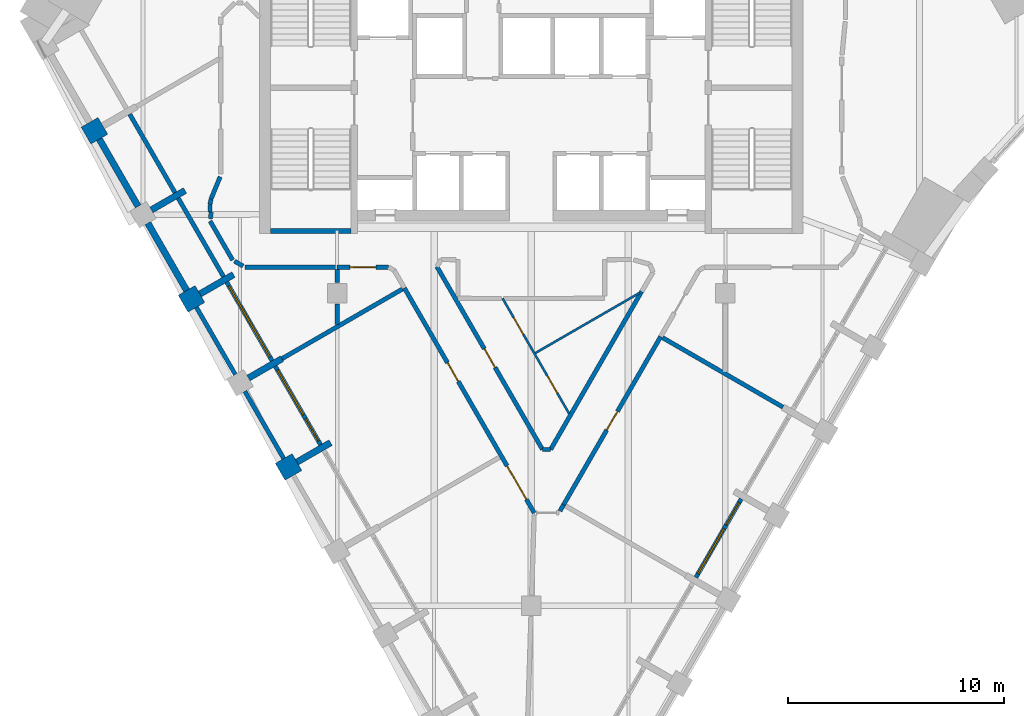
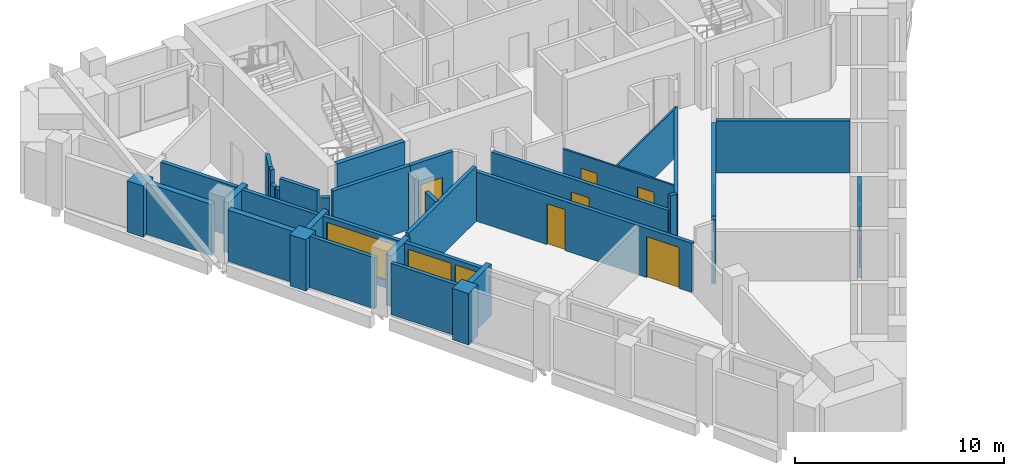
# One storey, part 3 of 8: 37 walls, 9 doors, 3 windows, 12 openings.
"""IFC4 building model written with IfcOpenShell, lengths in metres."""

from ifc_helpers import new_model, si_unit, direction, frame, frame_2d, origin, place, context, subcontext, project, spatial, rectangle, extrude, material, layer, layer_set, type_object, element, fill, save


model = new_model("IFC4")

# Units and contexts
model_context = context("Model", 3, precision=1e-05, world=origin(), true_north=direction((0.0, 1.0)))
body_context = subcontext(model_context, "Body", "Model", "MODEL_VIEW")
ifc_project = project(units=[si_unit("LENGTHUNIT", "METRE"), si_unit("AREAUNIT", "SQUARE_METRE"), si_unit("VOLUMEUNIT", "CUBIC_METRE"), si_unit("PLANEANGLEUNIT", "RADIAN"), si_unit("MASSUNIT", "GRAM", prefix="KILO")], contexts=[model_context])

# Site, building, storey
site_placement = place(None, origin())
site = spatial("IfcSite", under=ifc_project, at=site_placement, CompositionType="ELEMENT")
building_placement = place(site_placement, origin())
building = spatial("IfcBuilding", under=site, at=building_placement, Name="Calabash Gate Tower", CompositionType="ELEMENT")
storey_placement = place(building_placement, frame((0.0, 0.0, 279.39990234375)))
storey = spatial("IfcBuildingStorey", under=building, at=storey_placement, Name="L67", CompositionType="ELEMENT", Elevation=279.39990234375)

# Walls
ifc_material_1 = material(Name="Terracotta brick masonry, exposed face", Category="masonry")
ifc_layer_1 = layer(ifc_material_1, 0.89990234375)
ifc_layer_set_1 = layer_set([ifc_layer_1], Name="Brick end wall 900")
wall_type_1 = type_object("IfcWallType", Name="Brick end wall 900", PredefinedType="SOLIDWALL", material=ifc_layer_set_1)
wall_1_placement = place(storey_placement, frame((-20.643798828125, 9.80029296875, 0.0), z_axis=(0.0, 0.0, 1.0), x_axis=(0.865964261186, 0.500105887137, 0.0)))
element("IfcWall", 1, at=wall_1_placement, inside=storey, type_object=wall_type_1, Name="Brick pier S20 SW0.1", PredefinedType="SOLIDWALL", context=body_context, shape_type="SweptSolid", body=[
    extrude(rectangle(XDim=0.900146484375, YDim=0.89990234375, at=frame_2d((0.4501953125, 0.0))), origin(), (0.0, 0.0, 1.0), 3.0),
])
wall_2_placement = place(storey_placement, frame((-15.97900390625, 2.620849609375, 0.0), z_axis=(0.0, 0.0, 1.0), x_axis=(0.50001992892, -0.866013897511, 0.0)))
element("IfcWall", 2, at=wall_2_placement, inside=storey, type_object=wall_type_1, Name="Brick pier S20 SW0.3", PredefinedType="SOLIDWALL", context=body_context, shape_type="SweptSolid", body=[
    extrude(rectangle(XDim=0.89990234375, YDim=0.89990234375, at=frame_2d((0.449951171875, 0.0))), origin(), (0.0, 0.0, 1.0), 3.0),
])
wall_3_placement = place(storey_placement, frame((-11.47900390625, -5.17333984375, 0.0), z_axis=(0.0, 0.0, 1.0), x_axis=(0.499902469156, -0.866081705922, 0.0)))
element("IfcWall", 3, at=wall_3_placement, inside=storey, type_object=wall_type_1, Name="Brick pier S20 SW0.5", PredefinedType="SOLIDWALL", context=body_context, shape_type="SweptSolid", body=[
    extrude(rectangle(XDim=0.900146484375, YDim=0.89990234375, at=frame_2d((0.4501953125, 0.0))), origin(), (0.0, 0.0, 1.0), 3.0),
])
ifc_material_2 = material(Name="Terracotta brick masonry, exposed face", Category="masonry")
ifc_layer_2 = layer(ifc_material_2, 0.300048828125)
ifc_layer_set_2 = layer_set([ifc_layer_2], Name="Brick infill panel wall 300")
wall_type_2 = type_object("IfcWallType", Name="Brick infill panel wall 300", PredefinedType="SOLIDWALL", material=ifc_layer_set_2)
for number, where, z_axis, x_axis, name in (
    (4, (-20.029052734375, 9.6357421875, 0.0), (0.0, 0.0, 1.0), (0.500012057535, -0.866018442252, 0.0), "Brick panel S20 SW0.2"),
    (5, (-17.779052734375, 5.738525390625, 0.0), (0.0, 0.0, 1.0), (0.500012057535, -0.866018442252, 0.0), "Brick panel S20 SW0.3"),
):
    element("IfcWall", number, at=place(storey_placement, frame(where, z_axis=z_axis, x_axis=x_axis)), inside=storey, type_object=wall_type_2, Name=name, PredefinedType="SOLIDWALL", context=body_context, shape_type="SweptSolid", body=[
        extrude(rectangle(XDim=3.60009765625, YDim=0.300048828125, at=frame_2d((1.800048828125, 0.0))), origin(), (0.0, 0.0, 1.0), 3.0),
    ])
ifc_material_3 = material(Name="Terracotta brick masonry, exposed face", Category="masonry")
ifc_layer_3 = layer(ifc_material_3, 0.300048828125)
ifc_layer_set_3 = layer_set([ifc_layer_3], Name="Brick loggia cheek wall 300")
wall_type_3 = type_object("IfcWallType", Name="Brick loggia cheek wall 300", PredefinedType="SOLIDWALL", material=ifc_layer_set_3)
wall_4_placement = place(storey_placement, frame((-17.6142578125, 6.353271484375, 0.0), z_axis=(0.0, 0.0, 1.0), x_axis=(0.866047807691, 0.499961193289, 0.0)))
element("IfcWall", 6, at=wall_4_placement, inside=storey, type_object=wall_type_3, Name="Loggia cheek S20 SW0.2", PredefinedType="SOLIDWALL", context=body_context, shape_type="SweptSolid", body=[
    extrude(rectangle(XDim=1.800048828125, YDim=0.300048828125, at=frame_2d((0.89990234375, 0.0))), origin(), (0.0, 0.0, 1.0), 2.9501953125),
])
for number, where, z_axis, x_axis, name in (
    (7, (-13.805419921875, 3.356201171875, 0.0), (0.0, 0.0, 1.0), (-0.865989075817, -0.500062916607, 0.0), "Loggia cheek S20 SW0.3"),
    (8, (-11.555419921875, -0.541015625, 0.0), (0.0, 0.0, 1.0), (-0.866047807691, -0.499961193289, 0.0), "Loggia cheek S20 SW0.4"),
    (9, (-9.305419921875, -4.43798828125, 0.0), (0.0, 0.0, 1.0), (-0.865989075817, -0.500062916607, 0.0), "Loggia cheek S20 SW0.5"),
):
    element("IfcWall", number, at=place(storey_placement, frame(where, z_axis=z_axis, x_axis=x_axis)), inside=storey, type_object=wall_type_3, Name=name, PredefinedType="SOLIDWALL", context=body_context, shape_type="SweptSolid", body=[
        extrude(rectangle(XDim=1.800048828125, YDim=0.300048828125, at=frame_2d((0.89990234375, 0.0))), origin(), (0.0, 0.0, 1.0), 3.0),
    ])
ifc_material_4 = material(Name="Concrete C60/75", Category="concrete")
ifc_layer_4 = layer(ifc_material_4, 0.25)
ifc_layer_set_4 = layer_set([ifc_layer_4], Name="Core wall 250 Concrete C60/75")
wall_type_4 = type_object("IfcWallType", Name="Core wall 250 Concrete C60/75", PredefinedType="SHEAR", material=ifc_layer_set_4)
wall_5_placement = place(storey_placement, frame((-12.10009765625, 5.377685546875, 0.0), z_axis=(0.0, 0.0, 1.0), x_axis=(1.0, 0.0, 0.0)))
element("IfcWall", 10, at=wall_5_placement, inside=storey, type_object=wall_type_4, Name="Core wall Z5-SSW L67", PredefinedType="SHEAR", context=body_context, shape_type="SweptSolid", body=[
    extrude(rectangle(XDim=3.75, YDim=0.25, at=frame_2d((1.875, 0.0))), origin(), (0.0, 0.0, 1.0), 3.900146484375),
])

# Wall, openings, doors
ifc_material_5 = material(Name="Gypsum board on steel studs, mineral wool", Category="steel")
ifc_layer_5 = layer(ifc_material_5, 0.10009765625)
ifc_layer_set_5 = layer_set([ifc_layer_5], Name="Partition 100 gypsum board")
wall_type_5 = type_object("IfcWallType", Name="Partition 100 gypsum board", PredefinedType="PARTITIONING", material=ifc_layer_set_5)
wall_6_placement = place(storey_placement, frame((-1.330078125, 2.25244140625, 0.0), z_axis=(0.0, 0.0, 1.0), x_axis=(0.499984964964, -0.866034084092, 0.0)))
wall_6 = element("IfcWall", 11, at=wall_6_placement, inside=storey, type_object=wall_type_5, Name="Partition", PredefinedType="PARTITIONING", context=body_context, shape_type="SweptSolid", body=[
    extrude(rectangle(XDim=6.172119140625, YDim=0.10009765625, at=frame_2d((3.0859375, 0.0))), origin(), (0.0, 0.0, 1.0), 2.88427734375),
])
opening_1_placement = place(wall_6_placement, frame((1.025634765625, 0.0, 0.0)))
opening_1 = element("IfcOpeningElement", 12, at=opening_1_placement, cuts=wall_6, Name="Opening 67-68-013", PredefinedType="OPENING", context=body_context, shape_type="SweptSolid", body=[
    extrude(rectangle(XDim=0.89990234375, YDim=2.10009765625, at=frame_2d((0.449951171875, 1.050048828125))), frame((0.0, 0.06005859375, 0.0), z_axis=(0.0, -1.0, 0.0), x_axis=(1.0, 0.0, 0.0)), (0.0, 0.0, 1.0), 0.1201171875),
])
opening_2_placement = place(wall_6_placement, frame((4.162841796875, 0.0, 0.0)))
opening_2 = element("IfcOpeningElement", 13, at=opening_2_placement, cuts=wall_6, Name="Opening 67-68-014", PredefinedType="OPENING", context=body_context, shape_type="SweptSolid", body=[
    extrude(rectangle(XDim=0.89990234375, YDim=2.10009765625, at=frame_2d((0.449951171875, 1.050048828125))), frame((0.0, 0.06005859375, 0.0), z_axis=(0.0, -1.0, 0.0), x_axis=(1.0, 0.0, 0.0)), (0.0, 0.0, 1.0), 0.1201171875),
])
ifc_material_6 = material(Name="Painted timber door", Category="wood")
door_type_1 = type_object("IfcDoorType", Name="WD1 WC door 900x2100", OperationType="NOTDEFINED", PredefinedType="DOOR", material=ifc_material_6)
door_1_placement = place(opening_1_placement, origin())
door_1 = element("IfcDoor", 14, at=door_1_placement, inside=storey, type_object=door_type_1, Name="WC door", OperationType="SINGLE_SWING_LEFT", OverallHeight=2.10009765625, OverallWidth=0.89990234375, PredefinedType="DOOR", context=body_context, shape_type="SweptSolid", body=[
    extrude(rectangle(XDim=0.89990234375, YDim=2.10009765625, at=frame_2d((0.449951171875, 1.050048828125))), frame((0.0, 0.02490234375, 0.0), z_axis=(0.0, -1.0, 0.0), x_axis=(1.0, 0.0, 0.0)), (0.0, 0.0, 1.0), 0.050048828125),
])
fill(opening_1, door_1)
door_2_placement = place(opening_2_placement, origin())
door_2 = element("IfcDoor", 15, at=door_2_placement, inside=storey, type_object=door_type_1, Name="WC door", OperationType="SINGLE_SWING_RIGHT", OverallHeight=2.10009765625, OverallWidth=0.89990234375, PredefinedType="DOOR", context=body_context, shape_type="SweptSolid", body=[
    extrude(rectangle(XDim=0.89990234375, YDim=2.10009765625, at=frame_2d((0.449951171875, 1.050048828125))), frame((0.0, 0.02490234375, 0.0), z_axis=(0.0, -1.0, 0.0), x_axis=(1.0, 0.0, 0.0)), (0.0, 0.0, 1.0), 0.050048828125),
])
fill(opening_2, door_2)

# Wall
wall_7_placement = place(storey_placement, frame((0.190185546875, -0.28125, 0.0), z_axis=(0.0, 0.0, 1.0), x_axis=(0.866035935605, 0.499981757907, 0.0)))
element("IfcWall", 16, at=wall_7_placement, inside=storey, type_object=wall_type_5, Name="Partition", PredefinedType="PARTITIONING", context=body_context, shape_type="SweptSolid", body=[
    extrude(rectangle(XDim=5.596435546875, YDim=0.10009765625, at=frame_2d((2.79833984375, 0.0))), origin(), (0.0, 0.0, 1.0), 2.88427734375),
])

# Wall, openings, doors
ifc_material_7 = material(Name="Gypsum board on steel studs, mineral wool", Category="steel")
ifc_layer_6 = layer(ifc_material_7, 0.199951171875)
ifc_layer_set_6 = layer_set([ifc_layer_6], Name="Partition 200 gypsum board EI 60")
wall_type_6 = type_object("IfcWallType", Name="Partition 200 gypsum board EI 60", PredefinedType="PARTITIONING", material=ifc_layer_set_6)
wall_8_placement = place(storey_placement, frame((-5.884765625, 2.73291015625, 0.0), z_axis=(0.0, 0.0, 1.0), x_axis=(0.499999199346, -0.866025866042, 0.0)))
wall_8 = element("IfcWall", 17, at=wall_8_placement, inside=storey, type_object=wall_type_6, Name="Partition", PredefinedType="PARTITIONING", context=body_context, shape_type="SweptSolid", body=[
    extrude(rectangle(XDim=12.0400390625, YDim=0.199951171875, at=frame_2d((6.02001953125, 0.0))), origin(), (0.0, 0.0, 1.0), 2.88427734375),
])
opening_3_placement = place(wall_8_placement, frame((4.0, 0.0, 0.0)))
opening_3 = element("IfcOpeningElement", 18, at=opening_3_placement, cuts=wall_8, Name="Opening 67-68-001", PredefinedType="OPENING", context=body_context, shape_type="SweptSolid", body=[
    extrude(rectangle(XDim=1.0, YDim=2.39990234375, at=frame_2d((0.5, 1.199951171875))), frame((0.0, 0.10986328125, 0.0), z_axis=(0.0, -1.0, 0.0), x_axis=(1.0, 0.0, 0.0)), (0.0, 0.0, 1.0), 0.219970703125),
])
opening_4_placement = place(wall_8_placement, frame((9.519775390625, 0.0, 0.0)))
opening_4 = element("IfcOpeningElement", 19, at=opening_4_placement, cuts=wall_8, Name="Opening 67-68-011", PredefinedType="OPENING", context=body_context, shape_type="SweptSolid", body=[
    extrude(rectangle(XDim=1.800048828125, YDim=2.39990234375, at=frame_2d((0.89990234375, 1.199951171875))), frame((0.0, 0.10986328125, 0.0), z_axis=(0.0, -1.0, 0.0), x_axis=(1.0, 0.0, 0.0)), (0.0, 0.0, 1.0), 0.219970703125),
])
ifc_material_8 = material(Name="Painted timber door", Category="wood")
door_type_2 = type_object("IfcDoorType", Name="OD2 Glazed office door 1000x2400", OperationType="NOTDEFINED", PredefinedType="DOOR", material=ifc_material_8)
door_3_placement = place(opening_3_placement, origin())
door_3 = element("IfcDoor", 20, at=door_3_placement, inside=storey, type_object=door_type_2, Name="Glazed office door", OperationType="SINGLE_SWING_RIGHT", OverallHeight=2.39990234375, OverallWidth=1.0, PredefinedType="DOOR", context=body_context, shape_type="SweptSolid", body=[
    extrude(rectangle(XDim=1.0, YDim=2.39990234375, at=frame_2d((0.5, 1.199951171875))), frame((0.0, 0.02490234375, 0.0), z_axis=(0.0, -1.0, 0.0), x_axis=(1.0, 0.0, 0.0)), (0.0, 0.0, 1.0), 0.050048828125),
])
fill(opening_3, door_3)
ifc_material_9 = material(Name="Steel fire door set with fire-resisting glazing", Category="steel")
door_type_3 = type_object("IfcDoorType", Name="TD1 Tenancy entrance double door 1800x2400", OperationType="NOTDEFINED", PredefinedType="DOOR", material=ifc_material_9)
door_4_placement = place(opening_4_placement, origin())
door_4 = element("IfcDoor", 21, at=door_4_placement, inside=storey, type_object=door_type_3, Name="Tenancy entrance double door", OperationType="DOUBLE_DOOR_SINGLE_SWING", OverallHeight=2.39990234375, OverallWidth=1.800048828125, PredefinedType="DOOR", context=body_context, shape_type="SweptSolid", body=[
    extrude(rectangle(XDim=1.800048828125, YDim=2.39990234375, at=frame_2d((0.89990234375, 1.199951171875))), frame((0.0, 0.02490234375, 0.0), z_axis=(0.0, -1.0, 0.0), x_axis=(1.0, 0.0, 0.0)), (0.0, 0.0, 1.0), 0.050048828125),
])
fill(opening_4, door_4)

# Walls
wall_9_placement = place(storey_placement, frame((1.329833984375, -7.605712890625, 0.0), z_axis=(0.0, 0.0, 1.0), x_axis=(0.503375579216, 0.86406772087, 0.0)))
element("IfcWall", 22, at=wall_9_placement, inside=storey, type_object=wall_type_6, Name="Partition", PredefinedType="PARTITIONING", context=body_context, shape_type="SweptSolid", body=[
    extrude(rectangle(XDim=0.337158203125, YDim=0.199951171875, at=frame_2d((0.16845703125, 0.0))), origin(), (0.0, 0.0, 1.0), 3.72998046875),
])
wall_10_placement = place(storey_placement, frame((0.517333984375, -4.75146484375, 0.0), z_axis=(0.0, 0.0, 1.0), x_axis=(1.0, 0.0, 0.0)))
element("IfcWall", 23, at=wall_10_placement, inside=storey, type_object=wall_type_6, Name="Partition", PredefinedType="PARTITIONING", context=body_context, shape_type="SweptSolid", body=[
    extrude(rectangle(XDim=0.380859375, YDim=0.199951171875, at=frame_2d((0.1904296875, 0.0))), origin(), (0.0, 0.0, 1.0), 3.72998046875),
])
wall_11_placement = place(storey_placement, frame((0.898193359375, -4.75146484375, 0.0), z_axis=(0.0, 0.0, 1.0), x_axis=(0.499141293918, 0.866520610664, 0.0)))
element("IfcWall", 24, at=wall_11_placement, inside=storey, type_object=wall_type_6, Name="Partition", PredefinedType="PARTITIONING", context=body_context, shape_type="SweptSolid", body=[
    extrude(rectangle(XDim=8.450927734375, YDim=0.199951171875, at=frame_2d((4.2255859375, 0.0))), origin(), (0.0, 0.0, 1.0), 2.88427734375),
])
wall_12_placement = place(storey_placement, frame((-11.555908203125, -0.54052734375, 0.0), z_axis=(0.0, 0.0, 1.0), x_axis=(0.865781982927, 0.500421380478, 0.0)))
element("IfcWall", 25, at=wall_12_placement, inside=storey, type_object=wall_type_6, Name="Partition", PredefinedType="PARTITIONING", context=body_context, shape_type="SweptSolid", body=[
    extrude(rectangle(XDim=6.44970703125, YDim=0.199951171875, at=frame_2d((3.224853515625, 0.0))), origin(), (0.0, 0.0, 1.0), 3.201904296875),
])
wall_13_placement = place(storey_placement, frame((6.0859375, 0.4326171875, 0.0), z_axis=(0.0, 0.0, 1.0), x_axis=(0.866035557451, -0.499982412921, 0.0)))
element("IfcWall", 26, at=wall_13_placement, inside=storey, type_object=wall_type_6, Name="Partition", PredefinedType="PARTITIONING", context=body_context, shape_type="SweptSolid", body=[
    extrude(rectangle(XDim=6.449462890625, YDim=0.199951171875, at=frame_2d((3.224609375, 0.0))), origin(), (0.0, 0.0, 1.0), 3.052001953125),
])

# Wall, opening, door
wall_14_placement = place(storey_placement, frame((1.49951171875, -7.314208984375, 0.0), z_axis=(0.0, 0.0, 1.0), x_axis=(0.499990139034, 0.866031096941, 0.0)))
wall_14 = element("IfcWall", 27, at=wall_14_placement, inside=storey, type_object=wall_type_6, Name="Partition", PredefinedType="PARTITIONING", context=body_context, shape_type="SweptSolid", body=[
    extrude(rectangle(XDim=9.000244140625, YDim=0.199951171875, at=frame_2d((4.5, 0.0))), origin(), (0.0, 0.0, 1.0), 2.88427734375),
])
opening_5_placement = place(wall_14_placement, frame((4.0, 0.0, 0.0)))
opening_5 = element("IfcOpeningElement", 28, at=opening_5_placement, cuts=wall_14, Name="Opening 67-68-002", PredefinedType="OPENING", context=body_context, shape_type="SweptSolid", body=[
    extrude(rectangle(XDim=1.0, YDim=2.10009765625, at=frame_2d((0.5, 1.050048828125))), frame((0.0, 0.10986328125, 0.0), z_axis=(0.0, -1.0, 0.0), x_axis=(1.0, 0.0, 0.0)), (0.0, 0.0, 1.0), 0.219970703125),
])
ifc_material_10 = material(Name="Steel fire door set with fire-resisting glazing", Category="steel")
door_type_4 = type_object("IfcDoorType", Name="LD2 Meeting room door 1000x2100", OperationType="NOTDEFINED", PredefinedType="DOOR", material=ifc_material_10)
door_5_placement = place(opening_5_placement, origin())
door_5 = element("IfcDoor", 29, at=door_5_placement, inside=storey, type_object=door_type_4, Name="Meeting room door", OperationType="SINGLE_SWING_RIGHT", OverallHeight=2.10009765625, OverallWidth=1.0, PredefinedType="DOOR", context=body_context, shape_type="SweptSolid", body=[
    extrude(rectangle(XDim=1.0, YDim=2.10009765625, at=frame_2d((0.5, 1.050048828125))), frame((0.0, 0.02490234375, 0.0), z_axis=(0.0, -1.0, 0.0), x_axis=(1.0, 0.0, 0.0)), (0.0, 0.0, 1.0), 0.050048828125),
])
fill(opening_5, door_5)

# Walls
wall_15_placement = place(storey_placement, frame((-9.001708984375, 1.03564453125, 0.0), z_axis=(0.0, 0.0, 1.0), x_axis=(0.001518985589, 0.999998846341, 0.0)))
element("IfcWall", 30, at=wall_15_placement, inside=storey, type_object=wall_type_6, Name="Partition", PredefinedType="PARTITIONING", context=body_context, shape_type="SweptSolid", body=[
    extrude(rectangle(XDim=0.96435546875, YDim=0.199951171875, at=frame_2d((0.482177734375, 0.0))), origin(), (0.0, 0.0, 1.0), 3.201904296875),
])
wall_16_placement = place(storey_placement, frame((-9.001708984375, 3.599609375, 0.0), z_axis=(0.0, 0.0, 1.0), x_axis=(0.002442989453, -0.999997015897, 0.0)))
element("IfcWall", 31, at=wall_16_placement, inside=storey, type_object=wall_type_6, Name="Partition", PredefinedType="PARTITIONING", context=body_context, shape_type="SweptSolid", body=[
    extrude(rectangle(XDim=0.599609375, YDim=0.199951171875, at=frame_2d((0.2998046875, 0.0))), origin(), (0.0, 0.0, 1.0), 3.331787109375),
])
wall_17_placement = place(storey_placement, frame((-13.27685546875, 3.69970703125, 0.0), z_axis=(0.0, 0.0, 1.0), x_axis=(0.999999920155, -0.000399611774, 0.0)))
element("IfcWall", 32, at=wall_17_placement, inside=storey, type_object=wall_type_6, Name="Partition", PredefinedType="PARTITIONING", context=body_context, shape_type="SweptSolid", body=[
    extrude(rectangle(XDim=4.276611328125, YDim=0.199951171875, at=frame_2d((2.13818359375, 0.0))), origin(), (0.0, 0.0, 1.0), 3.72998046875),
])

# Wall, opening, door
wall_18_placement = place(storey_placement, frame((-9.0, 3.697998046875, 0.0), z_axis=(0.0, 0.0, 1.0), x_axis=(0.999999810961, 0.000614879982, 0.0)))
wall_18 = element("IfcWall", 33, at=wall_18_placement, inside=storey, type_object=wall_type_6, Name="Partition", PredefinedType="PARTITIONING", context=body_context, shape_type="SweptSolid", body=[
    extrude(rectangle(XDim=2.38232421875, YDim=0.199951171875, at=frame_2d((1.191162109375, 0.0))), origin(), (0.0, 0.0, 1.0), 3.72998046875),
])
opening_6_placement = place(wall_18_placement, frame((0.590087890625, 0.0, 0.0)))
opening_6 = element("IfcOpeningElement", 34, at=opening_6_placement, cuts=wall_18, Name="Opening 67-68-003", PredefinedType="OPENING", context=body_context, shape_type="SweptSolid", body=[
    extrude(rectangle(XDim=1.199951171875, YDim=2.39990234375, at=frame_2d((0.60009765625, 1.199951171875))), frame((0.0, 0.10986328125, 0.0), z_axis=(0.0, -1.0, 0.0), x_axis=(1.0, 0.0, 0.0)), (0.0, 0.0, 1.0), 0.219970703125),
])
ifc_material_11 = material(Name="Steel fire door set with fire-resisting glazing", Category="steel")
door_type_5 = type_object("IfcDoorType", Name="OD3 Boardroom door 1200x2400", OperationType="NOTDEFINED", PredefinedType="DOOR", material=ifc_material_11)
door_6_placement = place(opening_6_placement, origin())
door_6 = element("IfcDoor", 35, at=door_6_placement, inside=storey, type_object=door_type_5, Name="Boardroom door", OperationType="SINGLE_SWING_LEFT", OverallHeight=2.39990234375, OverallWidth=1.199951171875, PredefinedType="DOOR", context=body_context, shape_type="SweptSolid", body=[
    extrude(rectangle(XDim=1.199951171875, YDim=2.39990234375, at=frame_2d((0.60009765625, 1.199951171875))), frame((0.0, 0.02490234375, 0.0), z_axis=(0.0, -1.0, 0.0), x_axis=(1.0, 0.0, 0.0)), (0.0, 0.0, 1.0), 0.050048828125),
])
fill(opening_6, door_6)

wall_19_placement = place(storey_placement, frame((-4.375, 3.72265625, 0.0), z_axis=(0.0, 0.0, 1.0), x_axis=(0.499984508542, -0.866034347597, 0.0)))
wall_19 = element("IfcWall", 36, at=wall_19_placement, inside=storey, type_object=wall_type_6, Name="Partition", PredefinedType="PARTITIONING", context=body_context, shape_type="SweptSolid", body=[
    extrude(rectangle(XDim=9.784912109375, YDim=0.199951171875, at=frame_2d((4.892578125, 0.0))), origin(), (0.0, 0.0, 1.0), 2.88427734375),
])
opening_7_placement = place(wall_19_placement, frame((4.392578125, 0.0, 0.0)))
opening_7 = element("IfcOpeningElement", 37, at=opening_7_placement, cuts=wall_19, Name="Opening 67-68-012", PredefinedType="OPENING", context=body_context, shape_type="SweptSolid", body=[
    extrude(rectangle(XDim=1.0, YDim=2.10009765625, at=frame_2d((0.5, 1.050048828125))), frame((0.0, 0.10986328125, 0.0), z_axis=(0.0, -1.0, 0.0), x_axis=(1.0, 0.0, 0.0)), (0.0, 0.0, 1.0), 0.219970703125),
])
ifc_material_12 = material(Name="Steel fire door set with fire-resisting glazing", Category="steel")
door_type_6 = type_object("IfcDoorType", Name="WD3 WC lobby door 1000x2100", OperationType="NOTDEFINED", PredefinedType="DOOR", material=ifc_material_12)
door_7_placement = place(opening_7_placement, origin())
door_7 = element("IfcDoor", 38, at=door_7_placement, inside=storey, type_object=door_type_6, Name="WC lobby door", OperationType="SINGLE_SWING_LEFT", OverallHeight=2.10009765625, OverallWidth=1.0, PredefinedType="DOOR", context=body_context, shape_type="SweptSolid", body=[
    extrude(rectangle(XDim=1.0, YDim=2.10009765625, at=frame_2d((0.5, 1.050048828125))), frame((0.0, 0.02490234375, 0.0), z_axis=(0.0, -1.0, 0.0), x_axis=(1.0, 0.0, 0.0)), (0.0, 0.0, 1.0), 0.050048828125),
])
fill(opening_7, door_7)

# Walls
wall_20_placement = place(storey_placement, frame((-13.761962890625, 3.979736328125, 0.0), z_axis=(0.0, 0.0, 1.0), x_axis=(0.865982457891, -0.500074377092, 0.0)))
element("IfcWall", 39, at=wall_20_placement, inside=storey, type_object=wall_type_6, Name="Partition", PredefinedType="PARTITIONING", context=body_context, shape_type="SweptSolid", body=[
    extrude(rectangle(XDim=0.46044921875, YDim=0.199951171875, at=frame_2d((0.230224609375, 0.0))), origin(), (0.0, 0.0, 1.0), 3.331787109375),
])
wall_21_placement = place(storey_placement, frame((-14.89404296875, 5.84033203125, 0.0), z_axis=(0.0, 0.0, 1.0), x_axis=(0.500120010312, -0.86595610471, 0.0)))
element("IfcWall", 40, at=wall_21_placement, inside=storey, type_object=wall_type_6, Name="Partition", PredefinedType="PARTITIONING", context=body_context, shape_type="SweptSolid", body=[
    extrude(rectangle(XDim=2.0908203125, YDim=0.199951171875, at=frame_2d((1.04541015625, 0.0))), origin(), (0.0, 0.0, 1.0), 3.72998046875),
])
wall_22_placement = place(storey_placement, frame((-14.880859375, 5.939697265625, 0.0), z_axis=(0.0, 0.0, 1.0), x_axis=(0.130133906157, 0.991496427865, 0.0)))
element("IfcWall", 41, at=wall_22_placement, inside=storey, type_object=wall_type_6, Name="Partition", PredefinedType="PARTITIONING", context=body_context, shape_type="SweptSolid", body=[
    extrude(rectangle(XDim=0.315185546875, YDim=0.199951171875, at=frame_2d((0.15771484375, 0.0))), origin(), (0.0, 0.0, 1.0), 2.9501953125),
])
wall_23_placement = place(storey_placement, frame((-14.900390625, 6.25244140625, 0.0), z_axis=(0.0, 0.0, 1.0), x_axis=(0.0, 1.0, 0.0)))
element("IfcWall", 42, at=wall_23_placement, inside=storey, type_object=wall_type_6, Name="Partition", PredefinedType="PARTITIONING", context=body_context, shape_type="SweptSolid", body=[
    extrude(rectangle(XDim=0.360107421875, YDim=0.199951171875, at=frame_2d((0.18017578125, 0.0))), origin(), (0.0, 0.0, 1.0), 2.9501953125),
])
wall_24_placement = place(storey_placement, frame((-14.900390625, 6.612548828125, 0.0), z_axis=(0.0, 0.0, 1.0), x_axis=(0.200521214098, 0.979689360306, 0.0)))
element("IfcWall", 43, at=wall_24_placement, inside=storey, type_object=wall_type_6, Name="Partition", PredefinedType="PARTITIONING", context=body_context, shape_type="SweptSolid", body=[
    extrude(rectangle(XDim=0.255615234375, YDim=0.199951171875, at=frame_2d((0.1279296875, 0.0))), origin(), (0.0, 0.0, 1.0), 3.72998046875),
])
wall_25_placement = place(storey_placement, frame((-14.84912109375, 6.863037109375, 0.0), z_axis=(0.0, 0.0, 1.0), x_axis=(0.380782882389, 0.924664477786, 0.0)))
element("IfcWall", 44, at=wall_25_placement, inside=storey, type_object=wall_type_6, Name="Partition", PredefinedType="PARTITIONING", context=body_context, shape_type="SweptSolid", body=[
    extrude(rectangle(XDim=1.11376953125, YDim=0.199951171875, at=frame_2d((0.556884765625, 0.0))), origin(), (0.0, 0.0, 1.0), 3.72998046875),
])
ifc_material_13 = material(Name="Terracotta brick masonry, perforated", Category="masonry")
ifc_layer_7 = layer(ifc_material_13, 0.199951171875)
ifc_layer_set_7 = layer_set([ifc_layer_7], Name="Terracotta jaali screen B")
wall_type_7 = type_object("IfcWallType", Name="Terracotta jaali screen B", PredefinedType="SOLIDWALL", material=ifc_layer_set_7)
for number, where, z_axis, x_axis, name in (
    (45, (-15.529052734375, 1.841552734375, 0.0), (0.0, 0.0, 1.0), (0.500012057535, -0.866018442252, 0.0), "SCREEN B S20 SW0.4"),
    (46, (-13.279052734375, -2.0556640625, 0.0), (0.0, 0.0, 1.0), (0.500012057535, -0.866018442252, 0.0), "SCREEN B S20 SW0.5"),
):
    element("IfcWall", number, at=place(storey_placement, frame(where, z_axis=z_axis, x_axis=x_axis)), inside=storey, type_object=wall_type_7, Name=name, PredefinedType="SOLIDWALL", context=body_context, shape_type="SweptSolid", body=[
        extrude(rectangle(XDim=3.60009765625, YDim=0.199951171875, at=frame_2d((1.800048828125, 0.0))), origin(), (0.0, 0.0, 1.0), 3.0),
    ])
ifc_material_14 = material(Name="Aluminium framed window wall with insulated spandrel", Category="aluminium")
ifc_layer_8 = layer(ifc_material_14, 0.199951171875)
ifc_layer_set_8 = layer_set([ifc_layer_8], Name="Window wall 200")
wall_type_8 = type_object("IfcWallType", Name="Window wall 200", PredefinedType="ELEMENTEDWALL", material=ifc_layer_set_8)
wall_26_placement = place(storey_placement, frame((-18.6201171875, 10.79541015625, 0.0), z_axis=(0.0, 0.0, 1.0), x_axis=(0.49998411664, -0.866034573852, 0.0)))
element("IfcWall", 47, at=wall_26_placement, inside=storey, type_object=wall_type_8, Name="Window wall S20 SW0.2", PredefinedType="ELEMENTEDWALL", context=body_context, shape_type="SweptSolid", body=[
    extrude(rectangle(XDim=4.199951171875, YDim=0.199951171875, at=frame_2d((2.10009765625, 0.0))), origin(), (0.0, 0.0, 1.0), 3.0),
])
wall_27_placement = place(storey_placement, frame((-16.3701171875, 6.8984375, 0.0), z_axis=(0.0, 0.0, 1.0), x_axis=(0.499958946799, -0.866049104564, 0.0)))
element("IfcWall", 48, at=wall_27_placement, inside=storey, type_object=wall_type_8, Name="Window wall S20 SW0.3", PredefinedType="ELEMENTEDWALL", context=body_context, shape_type="SweptSolid", body=[
    extrude(rectangle(XDim=4.199951171875, YDim=0.199951171875, at=frame_2d((2.10009765625, 0.0))), origin(), (0.0, 0.0, 1.0), 2.9501953125),
])

# Wall, opening, window
wall_28_placement = place(storey_placement, frame((-14.1201171875, 3.001220703125, 0.0), z_axis=(0.0, 0.0, 1.0), x_axis=(0.49998411664, -0.866034573852, 0.0)))
wall_28 = element("IfcWall", 49, at=wall_28_placement, inside=storey, type_object=wall_type_8, Name="Window wall S20 SW0.4", PredefinedType="ELEMENTEDWALL", context=body_context, shape_type="SweptSolid", body=[
    extrude(rectangle(XDim=4.199951171875, YDim=0.199951171875, at=frame_2d((2.10009765625, 0.0))), origin(), (0.0, 0.0, 1.0), 3.0),
])
opening_8_placement = place(wall_28_placement, frame((0.199951171875, 0.0, 0.449951171875)))
opening_8 = element("IfcOpeningElement", 50, at=opening_8_placement, cuts=wall_28, Name="Opening OW2", PredefinedType="OPENING", context=body_context, shape_type="SweptSolid", body=[
    extrude(rectangle(XDim=3.800048828125, YDim=2.25, at=frame_2d((1.89990234375, 1.125))), frame((0.0, 0.10986328125, 0.0), z_axis=(0.0, -1.0, 0.0), x_axis=(1.0, 0.0, 0.0)), (0.0, 0.0, 1.0), 0.219970703125),
])
ifc_material_15 = material(Name="Anodised aluminium frame, bronze finish, impact-rated laminated clear glazing", Category="aluminium")
window_type_1 = type_object("IfcWindowType", Name="Window OW2 3800x2250", PartitioningType="TRIPLE_PANEL_VERTICAL", PredefinedType="WINDOW", material=ifc_material_15)
window_1_placement = place(opening_8_placement, origin())
window_1 = element("IfcWindow", 51, at=window_1_placement, inside=storey, type_object=window_type_1, Name="Window OW2 S20 SW0.4", OverallHeight=2.25, OverallWidth=3.800048828125, PartitioningType="SINGLE_PANEL", PredefinedType="WINDOW", context=body_context, shape_type="SweptSolid", body=[
    extrude(rectangle(XDim=3.800048828125, YDim=2.25, at=frame_2d((1.89990234375, 1.125))), frame((0.0, 0.030029296875, 0.0), z_axis=(0.0, -1.0, 0.0), x_axis=(1.0, 0.0, 0.0)), (0.0, 0.0, 1.0), 0.06005859375),
])
fill(opening_8, window_1)

# Wall, openings, door, window
wall_29_placement = place(storey_placement, frame((-11.8701171875, -0.895751953125, 0.0), z_axis=(0.0, 0.0, 1.0), x_axis=(0.499958946799, -0.866049104564, 0.0)))
wall_29 = element("IfcWall", 52, at=wall_29_placement, inside=storey, type_object=wall_type_8, Name="Window wall S20 SW0.5", PredefinedType="ELEMENTEDWALL", context=body_context, shape_type="SweptSolid", body=[
    extrude(rectangle(XDim=4.199951171875, YDim=0.199951171875, at=frame_2d((2.10009765625, 0.0))), origin(), (0.0, 0.0, 1.0), 3.0),
])
opening_9_placement = place(wall_29_placement, frame((0.199951171875, 0.0, 0.449951171875)))
opening_9 = element("IfcOpeningElement", 53, at=opening_9_placement, cuts=wall_29, Name="Opening OW1", PredefinedType="OPENING", context=body_context, shape_type="SweptSolid", body=[
    extrude(rectangle(XDim=2.39990234375, YDim=2.25, at=frame_2d((1.199951171875, 1.125))), frame((0.0, 0.10986328125, 0.0), z_axis=(0.0, -1.0, 0.0), x_axis=(1.0, 0.0, 0.0)), (0.0, 0.0, 1.0), 0.219970703125),
])
opening_10_placement = place(wall_29_placement, frame((2.800048828125, 0.0, 0.0)))
opening_10 = element("IfcOpeningElement", 54, at=opening_10_placement, cuts=wall_29, Name="Opening O12-017", PredefinedType="OPENING", context=body_context, shape_type="SweptSolid", body=[
    extrude(rectangle(XDim=1.199951171875, YDim=2.699951171875, at=frame_2d((0.60009765625, 1.35009765625))), frame((0.0, 0.10986328125, 0.0), z_axis=(0.0, -1.0, 0.0), x_axis=(1.0, 0.0, 0.0)), (0.0, 0.0, 1.0), 0.219970703125),
])
ifc_material_16 = material(Name="Anodised aluminium frame, bronze finish, impact-rated laminated clear glazing", Category="aluminium")
door_type_7 = type_object("IfcDoorType", Name="Loggia door DO1 1200x2700", OperationType="SLIDING_TO_LEFT", PredefinedType="DOOR", material=ifc_material_16)
door_8_placement = place(opening_10_placement, origin())
door_8 = element("IfcDoor", 55, at=door_8_placement, inside=storey, type_object=door_type_7, Name="Loggia door S20 SW0.5", OperationType="SINGLE_SWING_LEFT", OverallHeight=2.699951171875, OverallWidth=1.199951171875, PredefinedType="DOOR", context=body_context, shape_type="SweptSolid", body=[
    extrude(rectangle(XDim=1.199951171875, YDim=2.699951171875, at=frame_2d((0.60009765625, 1.35009765625))), frame((0.0, 0.02490234375, 0.0), z_axis=(0.0, -1.0, 0.0), x_axis=(1.0, 0.0, 0.0)), (0.0, 0.0, 1.0), 0.050048828125),
])
fill(opening_10, door_8)
ifc_material_17 = material(Name="Anodised aluminium frame, bronze finish, impact-rated laminated clear glazing", Category="aluminium")
window_type_2 = type_object("IfcWindowType", Name="Window OW1 2400x2250", PartitioningType="DOUBLE_PANEL_VERTICAL", PredefinedType="WINDOW", material=ifc_material_17)
window_2_placement = place(opening_9_placement, origin())
window_2 = element("IfcWindow", 56, at=window_2_placement, inside=storey, type_object=window_type_2, Name="Window OW1 S20 SW0.5", OverallHeight=2.25, OverallWidth=2.39990234375, PartitioningType="SINGLE_PANEL", PredefinedType="WINDOW", context=body_context, shape_type="SweptSolid", body=[
    extrude(rectangle(XDim=2.39990234375, YDim=2.25, at=frame_2d((1.199951171875, 1.125))), frame((0.0, 0.030029296875, 0.0), z_axis=(0.0, -1.0, 0.0), x_axis=(1.0, 0.0, 0.0)), (0.0, 0.0, 1.0), 0.06005859375),
])
fill(opening_9, window_2)

wall_30_placement = place(storey_placement, frame((7.635009765625, -10.68310546875, 0.0), z_axis=(0.0, 0.0, 1.0), x_axis=(0.500027713859, 0.866009402589, 0.0)))
wall_30 = element("IfcWall", 57, at=wall_30_placement, inside=storey, type_object=wall_type_8, Name="Window wall S20 SE2.3", PredefinedType="ELEMENTEDWALL", context=body_context, shape_type="SweptSolid", body=[
    extrude(rectangle(XDim=4.199951171875, YDim=0.199951171875, at=frame_2d((2.10009765625, 0.0))), origin(), (0.0, 0.0, 1.0), 3.0),
])
opening_11_placement = place(wall_30_placement, frame((0.199951171875, 0.0, 0.449951171875)))
opening_11 = element("IfcOpeningElement", 58, at=opening_11_placement, cuts=wall_30, Name="Opening OW1", PredefinedType="OPENING", context=body_context, shape_type="SweptSolid", body=[
    extrude(rectangle(XDim=2.39990234375, YDim=2.25, at=frame_2d((1.199951171875, 1.125))), frame((0.0, 0.10986328125, 0.0), z_axis=(0.0, -1.0, 0.0), x_axis=(1.0, 0.0, 0.0)), (0.0, 0.0, 1.0), 0.219970703125),
])
opening_12_placement = place(wall_30_placement, frame((2.800048828125, 0.0, 0.0)))
opening_12 = element("IfcOpeningElement", 59, at=opening_12_placement, cuts=wall_30, Name="Opening O12-015", PredefinedType="OPENING", context=body_context, shape_type="SweptSolid", body=[
    extrude(rectangle(XDim=1.199951171875, YDim=2.699951171875, at=frame_2d((0.60009765625, 1.35009765625))), frame((0.0, 0.10986328125, 0.0), z_axis=(0.0, -1.0, 0.0), x_axis=(1.0, 0.0, 0.0)), (0.0, 0.0, 1.0), 0.219970703125),
])
door_9_placement = place(opening_12_placement, origin())
door_9 = element("IfcDoor", 60, at=door_9_placement, inside=storey, type_object=door_type_7, Name="Loggia door S20 SE2.3", OperationType="SINGLE_SWING_LEFT", OverallHeight=2.699951171875, OverallWidth=1.199951171875, PredefinedType="DOOR", context=body_context, shape_type="SweptSolid", body=[
    extrude(rectangle(XDim=1.199951171875, YDim=2.699951171875, at=frame_2d((0.60009765625, 1.35009765625))), frame((0.0, 0.02490234375, 0.0), z_axis=(0.0, -1.0, 0.0), x_axis=(1.0, 0.0, 0.0)), (0.0, 0.0, 1.0), 0.050048828125),
])
fill(opening_12, door_9)
window_3_placement = place(opening_11_placement, origin())
window_3 = element("IfcWindow", 61, at=window_3_placement, inside=storey, type_object=window_type_2, Name="Window OW1 S20 SE2.3", OverallHeight=2.25, OverallWidth=2.39990234375, PartitioningType="SINGLE_PANEL", PredefinedType="WINDOW", context=body_context, shape_type="SweptSolid", body=[
    extrude(rectangle(XDim=2.39990234375, YDim=2.25, at=frame_2d((1.199951171875, 1.125))), frame((0.0, 0.030029296875, 0.0), z_axis=(0.0, -1.0, 0.0), x_axis=(1.0, 0.0, 0.0)), (0.0, 0.0, 1.0), 0.06005859375),
])
fill(opening_11, window_3)

save(model, "model.ifc")
